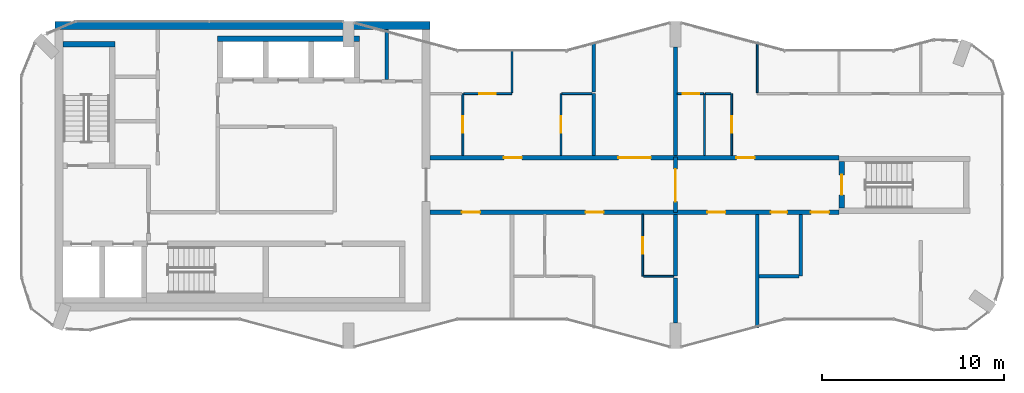
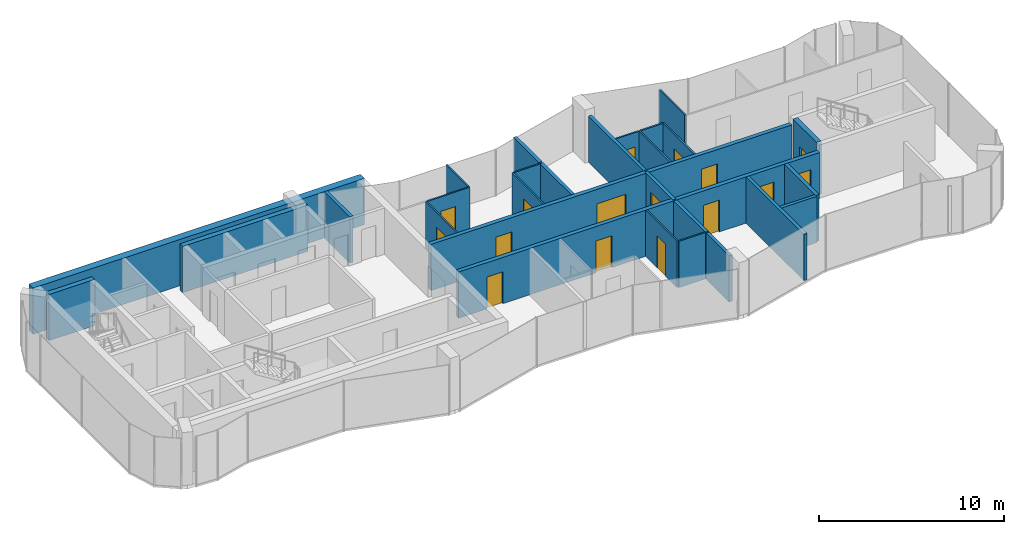
# One storey, part 8 of 10: 28 walls, 16 doors, 16 openings.
"""IFC4 building model written with IfcOpenShell, lengths in metres."""

from ifc_helpers import new_model, si_unit, direction, frame, frame_2d, origin, place, context, subcontext, project, spatial, rectangle, extrude, material, layer, layer_set, type_object, element, fill, save


model = new_model("IFC4")

# Units and contexts
model_context = context("Model", 3, precision=1e-05, world=origin(), true_north=direction((0.0, 1.0)))
body_context = subcontext(model_context, "Body", "Model", "MODEL_VIEW")
ifc_project = project(units=[si_unit("LENGTHUNIT", "METRE"), si_unit("AREAUNIT", "SQUARE_METRE"), si_unit("VOLUMEUNIT", "CUBIC_METRE"), si_unit("PLANEANGLEUNIT", "RADIAN"), si_unit("MASSUNIT", "GRAM", prefix="KILO")], contexts=[model_context])

# Site, building, storey
site_placement = place(None, origin())
site = spatial("IfcSite", under=ifc_project, at=site_placement, CompositionType="ELEMENT")
building_placement = place(site_placement, origin())
building = spatial("IfcBuilding", under=site, at=building_placement, Name="Plateau Cross Towers", CompositionType="ELEMENT")
storey_placement = place(building_placement, frame((0.0, 0.0, 284.39990234375)))
storey = spatial("IfcBuildingStorey", under=building, at=storey_placement, Name="L75", CompositionType="ELEMENT", Elevation=284.39990234375)

# Walls
ifc_material_1 = material(Name="Concrete block, plastered both sides", Category="concrete")
ifc_layer_1 = layer(ifc_material_1, 0.199951171875)
ifc_layer_set_1 = layer_set([ifc_layer_1], Name="Concrete block, plastered both sides")
wall_type_1 = type_object("IfcWallType", Name="Core partition 200", PredefinedType="PARTITIONING", material=ifc_layer_set_1)
wall_1_placement = place(storey_placement, frame((20.10009765625, 14.800048828125, 0.0), z_axis=(0.0, 0.0, 1.0), x_axis=(0.0, 1.0, 0.0)))
element("IfcWall", 1, at=wall_1_placement, inside=storey, type_object=wall_type_1, Name="Core partition", PredefinedType="PARTITIONING", context=body_context, shape_type="SweptSolid", body=[
    extrude(rectangle(XDim=2.75, YDim=0.199951171875, at=frame_2d((1.375, 0.0))), origin(), (0.0, 0.0, 1.0), 3.050048828125),
])
ifc_material_2 = material(Name="Concrete C60/75", Category="concrete")
ifc_layer_2 = layer(ifc_material_2, 0.300048828125)
ifc_layer_set_2 = layer_set([ifc_layer_2], Name="Concrete C60/75")
wall_type_2 = type_object("IfcWallType", Name="Core shaft wall 300", PredefinedType="SHEAR", material=ifc_layer_set_2)
wall_2_placement = place(storey_placement, frame((2.300048828125, 16.75, 0.0), z_axis=(0.0, 0.0, 1.0), x_axis=(1.0, 0.0, 0.0)))
element("IfcWall", 2, at=wall_2_placement, inside=storey, type_object=wall_type_2, Name="A-st1-N@L75", PredefinedType="SHEAR", context=body_context, shape_type="SweptSolid", body=[
    extrude(rectangle(XDim=2.849853515625, YDim=0.300048828125, at=frame_2d((1.4248046875, 0.0))), origin(), (0.0, 0.0, 1.0), 3.050048828125),
])
wall_3_placement = place(storey_placement, frame((10.800048828125, 17.050048828125, 0.0), z_axis=(0.0, 0.0, 1.0), x_axis=(1.0, 0.0, 0.0)))
element("IfcWall", 3, at=wall_3_placement, inside=storey, type_object=wall_type_2, Name="A-nb-back@L75", PredefinedType="SHEAR", context=body_context, shape_type="SweptSolid", body=[
    extrude(rectangle(XDim=7.800048828125, YDim=0.300048828125, at=frame_2d((3.89990234375, 0.0))), origin(), (0.0, 0.0, 1.0), 3.050048828125),
])
ifc_layer_3 = layer(ifc_material_2, 0.449951171875)
ifc_layer_set_3 = layer_set([ifc_layer_3], Name="Concrete C60/75")
wall_type_3 = type_object("IfcWallType", Name="Core shell wall 450", PredefinedType="SHEAR", material=ifc_layer_set_3)
wall_4_placement = place(storey_placement, frame((1.85009765625, 17.77490234375, 0.0), z_axis=(0.0, 0.0, 1.0), x_axis=(1.0, 0.0, 0.0)))
element("IfcWall", 4, at=wall_4_placement, inside=storey, type_object=wall_type_3, Name="A-core-N@L75", PredefinedType="SHEAR", context=body_context, shape_type="SweptSolid", body=[
    extrude(rectangle(XDim=20.64990234375, YDim=0.449951171875, at=frame_2d((10.324951171875, 0.0))), origin(), (0.0, 0.0, 1.0), 3.050048828125),
])

# Wall, openings, doors
ifc_layer_4 = layer(ifc_material_2, 0.25)
ifc_layer_set_4 = layer_set([ifc_layer_4], Name="Concrete C60/75")
wall_type_4 = type_object("IfcWallType", Name="Corridor wall 250", PredefinedType="SHEAR", material=ifc_layer_set_4)
wall_5_placement = place(storey_placement, frame((22.5, 7.5, 0.0), z_axis=(0.0, 0.0, 1.0), x_axis=(1.0, 0.0, 0.0)))
wall_5 = element("IfcWall", 5, at=wall_5_placement, inside=storey, type_object=wall_type_4, Name="A-cw-S1@L75", PredefinedType="SHEAR", context=body_context, shape_type="SweptSolid", body=[
    extrude(rectangle(XDim=22.5, YDim=0.25, at=frame_2d((11.25, 0.0))), origin(), (0.0, 0.0, 1.0), 3.050048828125),
])
opening_1_placement = place(wall_5_placement, frame((1.75, 0.0, 0.0)))
opening_1 = element("IfcOpeningElement", 6, at=opening_1_placement, cuts=wall_5, Name="Opening 75-01", PredefinedType="OPENING", context=body_context, shape_type="SweptSolid", body=[
    extrude(rectangle(XDim=1.0, YDim=2.10009765625, at=frame_2d((0.5, 1.050048828125))), frame((0.0, 0.135009765625, 0.0), z_axis=(0.0, -1.0, 0.0), x_axis=(1.0, 0.0, 0.0)), (0.0, 0.0, 1.0), 0.27001953125),
])
opening_2_placement = place(wall_5_placement, frame((8.550048828125, 0.0, 0.0)))
opening_2 = element("IfcOpeningElement", 7, at=opening_2_placement, cuts=wall_5, Name="Opening 75-02", PredefinedType="OPENING", context=body_context, shape_type="SweptSolid", body=[
    extrude(rectangle(XDim=1.0, YDim=2.10009765625, at=frame_2d((0.5, 1.050048828125))), frame((0.0, 0.135009765625, 0.0), z_axis=(0.0, -1.0, 0.0), x_axis=(1.0, 0.0, 0.0)), (0.0, 0.0, 1.0), 0.27001953125),
])
opening_3_placement = place(wall_5_placement, frame((15.25, 0.0, 0.0)))
opening_3 = element("IfcOpeningElement", 8, at=opening_3_placement, cuts=wall_5, Name="Opening 75-03", PredefinedType="OPENING", context=body_context, shape_type="SweptSolid", body=[
    extrude(rectangle(XDim=1.0, YDim=2.10009765625, at=frame_2d((0.5, 1.050048828125))), frame((0.0, 0.135009765625, 0.0), z_axis=(0.0, -1.0, 0.0), x_axis=(1.0, 0.0, 0.0)), (0.0, 0.0, 1.0), 0.27001953125),
])
opening_4_placement = place(wall_5_placement, frame((18.75, 0.0, 0.0)))
opening_4 = element("IfcOpeningElement", 9, at=opening_4_placement, cuts=wall_5, Name="Opening 75-04", PredefinedType="OPENING", context=body_context, shape_type="SweptSolid", body=[
    extrude(rectangle(XDim=0.89990234375, YDim=2.10009765625, at=frame_2d((0.449951171875, 1.050048828125))), frame((0.0, 0.135009765625, 0.0), z_axis=(0.0, -1.0, 0.0), x_axis=(1.0, 0.0, 0.0)), (0.0, 0.0, 1.0), 0.27001953125),
])
opening_5_placement = place(wall_5_placement, frame((20.949951171875, 0.0, 0.0)))
opening_5 = element("IfcOpeningElement", 10, at=opening_5_placement, cuts=wall_5, Name="Opening 75-05", PredefinedType="OPENING", context=body_context, shape_type="SweptSolid", body=[
    extrude(rectangle(XDim=1.0, YDim=2.10009765625, at=frame_2d((0.5, 1.050048828125))), frame((0.0, 0.135009765625, 0.0), z_axis=(0.0, -1.0, 0.0), x_axis=(1.0, 0.0, 0.0)), (0.0, 0.0, 1.0), 0.27001953125),
])
ifc_material_3 = material(Name="Timber, fire-resisting leaf", Category="wood")
door_type_1 = type_object("IfcDoorType", Name="Flat entrance door 1000", OperationType="NOTDEFINED", PredefinedType="DOOR", material=ifc_material_3)
door_1_placement = place(opening_1_placement, origin())
door_1 = element("IfcDoor", 11, at=door_1_placement, inside=storey, type_object=door_type_1, Name="Door 75-01", OperationType="SINGLE_SWING_LEFT", OverallHeight=2.10009765625, OverallWidth=1.0, PredefinedType="DOOR", context=body_context, shape_type="SweptSolid", body=[
    extrude(rectangle(XDim=1.0, YDim=2.10009765625, at=frame_2d((0.5, 1.050048828125))), frame((0.0, 0.02490234375, 0.0), z_axis=(0.0, -1.0, 0.0), x_axis=(1.0, 0.0, 0.0)), (0.0, 0.0, 1.0), 0.050048828125),
])
fill(opening_1, door_1)
door_2_placement = place(opening_2_placement, origin())
door_2 = element("IfcDoor", 12, at=door_2_placement, inside=storey, type_object=door_type_1, Name="Door 75-02", OperationType="SINGLE_SWING_LEFT", OverallHeight=2.10009765625, OverallWidth=1.0, PredefinedType="DOOR", context=body_context, shape_type="SweptSolid", body=[
    extrude(rectangle(XDim=1.0, YDim=2.10009765625, at=frame_2d((0.5, 1.050048828125))), frame((0.0, 0.02490234375, 0.0), z_axis=(0.0, -1.0, 0.0), x_axis=(1.0, 0.0, 0.0)), (0.0, 0.0, 1.0), 0.050048828125),
])
fill(opening_2, door_2)
door_3_placement = place(opening_3_placement, origin())
door_3 = element("IfcDoor", 13, at=door_3_placement, inside=storey, type_object=door_type_1, Name="Door 75-03", OperationType="SINGLE_SWING_RIGHT", OverallHeight=2.10009765625, OverallWidth=1.0, PredefinedType="DOOR", context=body_context, shape_type="SweptSolid", body=[
    extrude(rectangle(XDim=1.0, YDim=2.10009765625, at=frame_2d((0.5, 1.050048828125))), frame((0.0, 0.02490234375, 0.0), z_axis=(0.0, -1.0, 0.0), x_axis=(1.0, 0.0, 0.0)), (0.0, 0.0, 1.0), 0.050048828125),
])
fill(opening_3, door_3)
door_4_placement = place(opening_5_placement, origin())
door_4 = element("IfcDoor", 14, at=door_4_placement, inside=storey, type_object=door_type_1, Name="Door 75-05", OperationType="SINGLE_SWING_RIGHT", OverallHeight=2.10009765625, OverallWidth=1.0, PredefinedType="DOOR", context=body_context, shape_type="SweptSolid", body=[
    extrude(rectangle(XDim=1.0, YDim=2.10009765625, at=frame_2d((0.5, 1.050048828125))), frame((0.0, 0.02490234375, 0.0), z_axis=(0.0, -1.0, 0.0), x_axis=(1.0, 0.0, 0.0)), (0.0, 0.0, 1.0), 0.050048828125),
])
fill(opening_5, door_4)
door_type_2 = type_object("IfcDoorType", Name="Flat floor service door 900", OperationType="NOTDEFINED", PredefinedType="DOOR", material=ifc_material_3)
door_5_placement = place(opening_4_placement, origin())
door_5 = element("IfcDoor", 15, at=door_5_placement, inside=storey, type_object=door_type_2, Name="Door 75-04", OperationType="SINGLE_SWING_RIGHT", OverallHeight=2.10009765625, OverallWidth=0.89990234375, PredefinedType="DOOR", context=body_context, shape_type="SweptSolid", body=[
    extrude(rectangle(XDim=0.89990234375, YDim=2.10009765625, at=frame_2d((0.449951171875, 1.050048828125))), frame((0.0, 0.02490234375, 0.0), z_axis=(0.0, -1.0, 0.0), x_axis=(1.0, 0.0, 0.0)), (0.0, 0.0, 1.0), 0.050048828125),
])
fill(opening_4, door_5)

wall_6_placement = place(storey_placement, frame((22.5, 10.5, 0.0), z_axis=(0.0, 0.0, 1.0), x_axis=(1.0, 0.0, 0.0)))
wall_6 = element("IfcWall", 16, at=wall_6_placement, inside=storey, type_object=wall_type_4, Name="A-cw-S2@L75", PredefinedType="SHEAR", context=body_context, shape_type="SweptSolid", body=[
    extrude(rectangle(XDim=22.5, YDim=0.25, at=frame_2d((11.25, 0.0))), origin(), (0.0, 0.0, 1.0), 3.050048828125),
])
opening_6_placement = place(wall_6_placement, frame((4.050048828125, 0.0, 0.0)))
opening_6 = element("IfcOpeningElement", 17, at=opening_6_placement, cuts=wall_6, Name="Opening 75-06", PredefinedType="OPENING", context=body_context, shape_type="SweptSolid", body=[
    extrude(rectangle(XDim=1.0, YDim=2.10009765625, at=frame_2d((0.5, 1.050048828125))), frame((0.0, 0.135009765625, 0.0), z_axis=(0.0, -1.0, 0.0), x_axis=(1.0, 0.0, 0.0)), (0.0, 0.0, 1.0), 0.27001953125),
])
opening_7_placement = place(wall_6_placement, frame((10.35009765625, 0.0, 0.0)))
opening_7 = element("IfcOpeningElement", 18, at=opening_7_placement, cuts=wall_6, Name="Opening 75-07", PredefinedType="OPENING", context=body_context, shape_type="SweptSolid", body=[
    extrude(rectangle(XDim=1.800048828125, YDim=2.10009765625, at=frame_2d((0.89990234375, 1.050048828125))), frame((0.0, 0.135009765625, 0.0), z_axis=(0.0, -1.0, 0.0), x_axis=(1.0, 0.0, 0.0)), (0.0, 0.0, 1.0), 0.27001953125),
])
opening_8_placement = place(wall_6_placement, frame((16.85009765625, 0.0, 0.0)))
opening_8 = element("IfcOpeningElement", 19, at=opening_8_placement, cuts=wall_6, Name="Opening 75-08", PredefinedType="OPENING", context=body_context, shape_type="SweptSolid", body=[
    extrude(rectangle(XDim=1.0, YDim=2.10009765625, at=frame_2d((0.5, 1.050048828125))), frame((0.0, 0.135009765625, 0.0), z_axis=(0.0, -1.0, 0.0), x_axis=(1.0, 0.0, 0.0)), (0.0, 0.0, 1.0), 0.27001953125),
])
door_6_placement = place(opening_6_placement, origin())
door_6 = element("IfcDoor", 20, at=door_6_placement, inside=storey, type_object=door_type_1, Name="Door 75-06", OperationType="SINGLE_SWING_LEFT", OverallHeight=2.10009765625, OverallWidth=1.0, PredefinedType="DOOR", context=body_context, shape_type="SweptSolid", body=[
    extrude(rectangle(XDim=1.0, YDim=2.10009765625, at=frame_2d((0.5, 1.050048828125))), frame((0.0, 0.02490234375, 0.0), z_axis=(0.0, -1.0, 0.0), x_axis=(1.0, 0.0, 0.0)), (0.0, 0.0, 1.0), 0.050048828125),
])
fill(opening_6, door_6)
door_7_placement = place(opening_8_placement, origin())
door_7 = element("IfcDoor", 21, at=door_7_placement, inside=storey, type_object=door_type_1, Name="Door 75-08", OperationType="SINGLE_SWING_RIGHT", OverallHeight=2.10009765625, OverallWidth=1.0, PredefinedType="DOOR", context=body_context, shape_type="SweptSolid", body=[
    extrude(rectangle(XDim=1.0, YDim=2.10009765625, at=frame_2d((0.5, 1.050048828125))), frame((0.0, 0.02490234375, 0.0), z_axis=(0.0, -1.0, 0.0), x_axis=(1.0, 0.0, 0.0)), (0.0, 0.0, 1.0), 0.050048828125),
])
fill(opening_8, door_7)
ifc_material_4 = material(Name="Timber, fire-resisting leaves", Category="wood")
door_type_3 = type_object("IfcDoorType", Name="Flat floor fire door pair 1800", OperationType="NOTDEFINED", PredefinedType="DOOR", material=ifc_material_4)
door_8_placement = place(opening_7_placement, origin())
door_8 = element("IfcDoor", 22, at=door_8_placement, inside=storey, type_object=door_type_3, Name="Door 75-07", OperationType="SINGLE_SWING_LEFT", OverallHeight=2.10009765625, OverallWidth=1.800048828125, PredefinedType="DOOR", context=body_context, shape_type="SweptSolid", body=[
    extrude(rectangle(XDim=1.800048828125, YDim=2.10009765625, at=frame_2d((0.89990234375, 1.050048828125))), frame((0.0, 0.02490234375, 0.0), z_axis=(0.0, -1.0, 0.0), x_axis=(1.0, 0.0, 0.0)), (0.0, 0.0, 1.0), 0.050048828125),
])
fill(opening_7, door_8)

# Walls
ifc_material_5 = material(Name="Gypsum board on steel studs", Category="steel")
ifc_layer_5 = layer(ifc_material_5, 0.10009765625)
ifc_layer_set_5 = layer_set([ifc_layer_5], Name="Gypsum board on steel studs")
wall_type_5 = type_object("IfcWallType", Name="Flat partition 100", PredefinedType="PARTITIONING", material=ifc_layer_set_5)
for number, where, z_axis, x_axis, name in (
    (23, (34.25, 3.97509765625, 0.0), (0.0, 0.0, 1.0), (1.0, 0.0, 0.0), "Partition wall"),
    (24, (31.39990234375, 14.02490234375, 0.0), (0.0, 0.0, 1.0), (-1.0, 0.0, 0.0), "Partition wall"),
):
    element("IfcWall", number, at=place(storey_placement, frame(where, z_axis=z_axis, x_axis=x_axis)), inside=storey, type_object=wall_type_5, Name=name, PredefinedType="PARTITIONING", context=body_context, shape_type="SweptSolid", body=[
        extrude(rectangle(XDim=1.64990234375, YDim=0.10009765625, at=frame_2d((0.824951171875, 0.0))), origin(), (0.0, 0.0, 1.0), 3.050048828125),
    ])

# Wall, opening, door
wall_7_placement = place(storey_placement, frame((37.550048828125, 14.02490234375, 0.0), z_axis=(0.0, 0.0, 1.0), x_axis=(-1.0, 0.0, 0.0)))
wall_7 = element("IfcWall", 25, at=wall_7_placement, inside=storey, type_object=wall_type_5, Name="Partition wall", PredefinedType="PARTITIONING", context=body_context, shape_type="SweptSolid", body=[
    extrude(rectangle(XDim=1.449951171875, YDim=0.10009765625, at=frame_2d((0.72509765625, 0.0))), origin(), (0.0, 0.0, 1.0), 3.050048828125),
])
opening_9_placement = place(wall_7_placement, frame((0.25, 0.0, 0.0)))
opening_9 = element("IfcOpeningElement", 26, at=opening_9_placement, cuts=wall_7, Name="Opening 75-17", PredefinedType="OPENING", context=body_context, shape_type="SweptSolid", body=[
    extrude(rectangle(XDim=0.89990234375, YDim=2.10009765625, at=frame_2d((0.449951171875, 1.050048828125))), frame((0.0, 0.06005859375, 0.0), z_axis=(0.0, -1.0, 0.0), x_axis=(1.0, 0.0, 0.0)), (0.0, 0.0, 1.0), 0.1201171875),
])
ifc_material_6 = material(Name="Timber leaf", Category="wood")
door_type_4 = type_object("IfcDoorType", Name="Flat room door 900", OperationType="NOTDEFINED", PredefinedType="DOOR", material=ifc_material_6)
door_9_placement = place(opening_9_placement, origin())
door_9 = element("IfcDoor", 27, at=door_9_placement, inside=storey, type_object=door_type_4, Name="Door 75-17", OperationType="SINGLE_SWING_LEFT", OverallHeight=2.10009765625, OverallWidth=0.89990234375, PredefinedType="DOOR", context=body_context, shape_type="SweptSolid", body=[
    extrude(rectangle(XDim=0.89990234375, YDim=2.10009765625, at=frame_2d((0.449951171875, 1.050048828125))), frame((0.0, 0.02490234375, 0.0), z_axis=(0.0, -1.0, 0.0), x_axis=(1.0, 0.0, 0.0)), (0.0, 0.0, 1.0), 0.050048828125),
])
fill(opening_9, door_9)

# Wall
wall_8_placement = place(storey_placement, frame((39.050048828125, 14.02490234375, 0.0), z_axis=(0.0, 0.0, 1.0), x_axis=(-1.0, 0.0, 0.0)))
element("IfcWall", 28, at=wall_8_placement, inside=storey, type_object=wall_type_5, Name="Partition wall", PredefinedType="PARTITIONING", context=body_context, shape_type="SweptSolid", body=[
    extrude(rectangle(XDim=1.400146484375, YDim=0.10009765625, at=frame_2d((0.7001953125, 0.0))), origin(), (0.0, 0.0, 1.0), 3.050048828125),
])

# Wall, opening, door
wall_9_placement = place(storey_placement, frame((24.35009765625, 14.02490234375, 0.0), z_axis=(0.0, 0.0, 1.0), x_axis=(1.0, 0.0, 0.0)))
wall_9 = element("IfcWall", 29, at=wall_9_placement, inside=storey, type_object=wall_type_5, Name="Partition wall", PredefinedType="PARTITIONING", context=body_context, shape_type="SweptSolid", body=[
    extrude(rectangle(XDim=2.64990234375, YDim=0.10009765625, at=frame_2d((1.324951171875, 0.0))), origin(), (0.0, 0.0, 1.0), 3.050048828125),
])
opening_10_placement = place(wall_9_placement, frame((0.85009765625, 0.0, 0.0)))
opening_10 = element("IfcOpeningElement", 30, at=opening_10_placement, cuts=wall_9, Name="Opening 75-16", PredefinedType="OPENING", context=body_context, shape_type="SweptSolid", body=[
    extrude(rectangle(XDim=0.89990234375, YDim=2.10009765625, at=frame_2d((0.449951171875, 1.050048828125))), frame((0.0, 0.06005859375, 0.0), z_axis=(0.0, -1.0, 0.0), x_axis=(1.0, 0.0, 0.0)), (0.0, 0.0, 1.0), 0.1201171875),
])
door_10_placement = place(opening_10_placement, origin())
door_10 = element("IfcDoor", 31, at=door_10_placement, inside=storey, type_object=door_type_4, Name="Door 75-16", OperationType="SINGLE_SWING_LEFT", OverallHeight=2.10009765625, OverallWidth=0.89990234375, PredefinedType="DOOR", context=body_context, shape_type="SweptSolid", body=[
    extrude(rectangle(XDim=0.89990234375, YDim=2.10009765625, at=frame_2d((0.449951171875, 1.050048828125))), frame((0.0, 0.02490234375, 0.0), z_axis=(0.0, -1.0, 0.0), x_axis=(1.0, 0.0, 0.0)), (0.0, 0.0, 1.0), 0.050048828125),
])
fill(opening_10, door_10)

wall_10_placement = place(storey_placement, frame((24.300048828125, 10.625, 0.0), z_axis=(0.0, 0.0, 1.0), x_axis=(0.0, 1.0, 0.0)))
wall_10 = element("IfcWall", 32, at=wall_10_placement, inside=storey, type_object=wall_type_5, Name="Partition wall", PredefinedType="PARTITIONING", context=body_context, shape_type="SweptSolid", body=[
    extrude(rectangle(XDim=3.39990234375, YDim=0.10009765625, at=frame_2d((1.699951171875, 0.0))), origin(), (0.0, 0.0, 1.0), 3.050048828125),
])
opening_11_placement = place(wall_10_placement, frame((1.25, 0.0, 0.0)))
opening_11 = element("IfcOpeningElement", 33, at=opening_11_placement, cuts=wall_10, Name="Opening 75-14", PredefinedType="OPENING", context=body_context, shape_type="SweptSolid", body=[
    extrude(rectangle(XDim=0.89990234375, YDim=2.10009765625, at=frame_2d((0.449951171875, 1.050048828125))), frame((0.0, 0.06005859375, 0.0), z_axis=(0.0, -1.0, 0.0), x_axis=(1.0, 0.0, 0.0)), (0.0, 0.0, 1.0), 0.1201171875),
])
door_11_placement = place(opening_11_placement, origin())
door_11 = element("IfcDoor", 34, at=door_11_placement, inside=storey, type_object=door_type_4, Name="Door 75-14", OperationType="SINGLE_SWING_LEFT", OverallHeight=2.10009765625, OverallWidth=0.89990234375, PredefinedType="DOOR", context=body_context, shape_type="SweptSolid", body=[
    extrude(rectangle(XDim=0.89990234375, YDim=2.10009765625, at=frame_2d((0.449951171875, 1.050048828125))), frame((0.0, 0.02490234375, 0.0), z_axis=(0.0, -1.0, 0.0), x_axis=(1.0, 0.0, 0.0)), (0.0, 0.0, 1.0), 0.050048828125),
])
fill(opening_11, door_11)

# Wall
wall_11_placement = place(storey_placement, frame((27.0, 14.074951171875, 0.0), z_axis=(0.0, 0.0, 1.0), x_axis=(0.0, 1.0, 0.0)))
element("IfcWall", 35, at=wall_11_placement, inside=storey, type_object=wall_type_5, Name="Partition wall", PredefinedType="PARTITIONING", context=body_context, shape_type="SweptSolid", body=[
    extrude(rectangle(XDim=2.398193359375, YDim=0.10009765625, at=frame_2d((1.19921875, 0.0))), origin(), (0.0, 0.0, 1.0), 3.050048828125),
])

# Wall, opening, door
wall_12_placement = place(storey_placement, frame((29.699951171875, 14.02490234375, 0.0), z_axis=(0.0, 0.0, 1.0), x_axis=(0.0, -1.0, 0.0)))
wall_12 = element("IfcWall", 36, at=wall_12_placement, inside=storey, type_object=wall_type_5, Name="Partition wall", PredefinedType="PARTITIONING", context=body_context, shape_type="SweptSolid", body=[
    extrude(rectangle(XDim=3.39990234375, YDim=0.10009765625, at=frame_2d((1.699951171875, 0.0))), origin(), (0.0, 0.0, 1.0), 3.050048828125),
])
opening_12_placement = place(wall_12_placement, frame((1.25, 0.0, 0.0)))
opening_12 = element("IfcOpeningElement", 37, at=opening_12_placement, cuts=wall_12, Name="Opening 75-15", PredefinedType="OPENING", context=body_context, shape_type="SweptSolid", body=[
    extrude(rectangle(XDim=0.89990234375, YDim=2.10009765625, at=frame_2d((0.449951171875, 1.050048828125))), frame((0.0, 0.06005859375, 0.0), z_axis=(0.0, -1.0, 0.0), x_axis=(1.0, 0.0, 0.0)), (0.0, 0.0, 1.0), 0.1201171875),
])
door_12_placement = place(opening_12_placement, origin())
door_12 = element("IfcDoor", 38, at=door_12_placement, inside=storey, type_object=door_type_4, Name="Door 75-15", OperationType="SINGLE_SWING_LEFT", OverallHeight=2.10009765625, OverallWidth=0.89990234375, PredefinedType="DOOR", context=body_context, shape_type="SweptSolid", body=[
    extrude(rectangle(XDim=0.89990234375, YDim=2.10009765625, at=frame_2d((0.449951171875, 1.050048828125))), frame((0.0, 0.02490234375, 0.0), z_axis=(0.0, -1.0, 0.0), x_axis=(1.0, 0.0, 0.0)), (0.0, 0.0, 1.0), 0.050048828125),
])
fill(opening_12, door_12)

wall_13_placement = place(storey_placement, frame((34.199951171875, 7.375, 0.0), z_axis=(0.0, 0.0, 1.0), x_axis=(0.0, -1.0, 0.0)))
wall_13 = element("IfcWall", 39, at=wall_13_placement, inside=storey, type_object=wall_type_5, Name="Partition wall", PredefinedType="PARTITIONING", context=body_context, shape_type="SweptSolid", body=[
    extrude(rectangle(XDim=3.39990234375, YDim=0.10009765625, at=frame_2d((1.699951171875, 0.0))), origin(), (0.0, 0.0, 1.0), 3.050048828125),
])
opening_13_placement = place(wall_13_placement, frame((1.25, 0.0, 0.0)))
opening_13 = element("IfcOpeningElement", 40, at=opening_13_placement, cuts=wall_13, Name="Opening 75-12", PredefinedType="OPENING", context=body_context, shape_type="SweptSolid", body=[
    extrude(rectangle(XDim=0.89990234375, YDim=2.10009765625, at=frame_2d((0.449951171875, 1.050048828125))), frame((0.0, 0.06005859375, 0.0), z_axis=(0.0, -1.0, 0.0), x_axis=(1.0, 0.0, 0.0)), (0.0, 0.0, 1.0), 0.1201171875),
])
door_13_placement = place(opening_13_placement, origin())
door_13 = element("IfcDoor", 41, at=door_13_placement, inside=storey, type_object=door_type_4, Name="Door 75-12", OperationType="SINGLE_SWING_LEFT", OverallHeight=2.10009765625, OverallWidth=0.89990234375, PredefinedType="DOOR", context=body_context, shape_type="SweptSolid", body=[
    extrude(rectangle(XDim=0.89990234375, YDim=2.10009765625, at=frame_2d((0.449951171875, 1.050048828125))), frame((0.0, 0.02490234375, 0.0), z_axis=(0.0, -1.0, 0.0), x_axis=(1.0, 0.0, 0.0)), (0.0, 0.0, 1.0), 0.050048828125),
])
fill(opening_13, door_13)

# Wall
wall_14_placement = place(storey_placement, frame((37.60009765625, 10.625, 0.0), z_axis=(0.0, 0.0, 1.0), x_axis=(0.0, 1.0, 0.0)))
element("IfcWall", 42, at=wall_14_placement, inside=storey, type_object=wall_type_5, Name="Partition wall", PredefinedType="PARTITIONING", context=body_context, shape_type="SweptSolid", body=[
    extrude(rectangle(XDim=3.39990234375, YDim=0.10009765625, at=frame_2d((1.699951171875, 0.0))), origin(), (0.0, 0.0, 1.0), 3.050048828125),
])

# Wall, opening, door
wall_15_placement = place(storey_placement, frame((39.10009765625, 10.625, 0.0), z_axis=(0.0, 0.0, 1.0), x_axis=(0.0, 1.0, 0.0)))
wall_15 = element("IfcWall", 43, at=wall_15_placement, inside=storey, type_object=wall_type_5, Name="Partition wall", PredefinedType="PARTITIONING", context=body_context, shape_type="SweptSolid", body=[
    extrude(rectangle(XDim=3.39990234375, YDim=0.10009765625, at=frame_2d((1.699951171875, 0.0))), origin(), (0.0, 0.0, 1.0), 3.050048828125),
])
opening_14_placement = place(wall_15_placement, frame((1.25, 0.0, 0.0)))
opening_14 = element("IfcOpeningElement", 44, at=opening_14_placement, cuts=wall_15, Name="Opening 75-18", PredefinedType="OPENING", context=body_context, shape_type="SweptSolid", body=[
    extrude(rectangle(XDim=0.89990234375, YDim=2.10009765625, at=frame_2d((0.449951171875, 1.050048828125))), frame((0.0, 0.06005859375, 0.0), z_axis=(0.0, -1.0, 0.0), x_axis=(1.0, 0.0, 0.0)), (0.0, 0.0, 1.0), 0.1201171875),
])
door_14_placement = place(opening_14_placement, origin())
door_14 = element("IfcDoor", 45, at=door_14_placement, inside=storey, type_object=door_type_4, Name="Door 75-18", OperationType="SINGLE_SWING_LEFT", OverallHeight=2.10009765625, OverallWidth=0.89990234375, PredefinedType="DOOR", context=body_context, shape_type="SweptSolid", body=[
    extrude(rectangle(XDim=0.89990234375, YDim=2.10009765625, at=frame_2d((0.449951171875, 1.050048828125))), frame((0.0, 0.02490234375, 0.0), z_axis=(0.0, -1.0, 0.0), x_axis=(1.0, 0.0, 0.0)), (0.0, 0.0, 1.0), 0.050048828125),
])
fill(opening_14, door_14)

# Walls
wall_16_placement = place(storey_placement, frame((40.5, 16.877685546875, 0.0), z_axis=(0.0, 0.0, 1.0), x_axis=(0.0, -1.0, 0.0)))
element("IfcWall", 46, at=wall_16_placement, inside=storey, type_object=wall_type_5, Name="Partition wall", PredefinedType="PARTITIONING", context=body_context, shape_type="SweptSolid", body=[
    extrude(rectangle(XDim=2.802734375, YDim=0.10009765625, at=frame_2d((1.4013671875, 0.0))), origin(), (0.0, 0.0, 1.0), 3.050048828125),
])
ifc_material_7 = material(Name="Gypsum board on steel studs, two layers each side", Category="steel")
ifc_layer_6 = layer(ifc_material_7, 0.199951171875)
ifc_layer_set_6 = layer_set([ifc_layer_6], Name="Gypsum board on steel studs, two layers each side")
wall_type_6 = type_object("IfcWallType", Name="Flat party wall 200", PredefinedType="PARTITIONING", material=ifc_layer_set_6)
wall_17_placement = place(storey_placement, frame((40.60009765625, 3.97509765625, 0.0), z_axis=(0.0, 0.0, 1.0), x_axis=(1.0, 0.0, 0.0)))
element("IfcWall", 47, at=wall_17_placement, inside=storey, type_object=wall_type_6, Name="Party wall", PredefinedType="PARTITIONING", context=body_context, shape_type="SweptSolid", body=[
    extrude(rectangle(XDim=2.199951171875, YDim=0.199951171875, at=frame_2d((1.10009765625, 0.0))), origin(), (0.0, 0.0, 1.0), 3.050048828125),
])
wall_18_placement = place(storey_placement, frame((31.5, 16.877685546875, 0.0), z_axis=(0.0, 0.0, 1.0), x_axis=(0.0, -1.0, 0.0)))
element("IfcWall", 48, at=wall_18_placement, inside=storey, type_object=wall_type_6, Name="Party wall", PredefinedType="PARTITIONING", context=body_context, shape_type="SweptSolid", body=[
    extrude(rectangle(XDim=2.752685546875, YDim=0.199951171875, at=frame_2d((1.37646484375, 0.0))), origin(), (0.0, 0.0, 1.0), 3.050048828125),
])
wall_19_placement = place(storey_placement, frame((31.5, 10.625, 0.0), z_axis=(0.0, 0.0, 1.0), x_axis=(0.0, 1.0, 0.0)))
element("IfcWall", 49, at=wall_19_placement, inside=storey, type_object=wall_type_6, Name="Party wall", PredefinedType="PARTITIONING", context=body_context, shape_type="SweptSolid", body=[
    extrude(rectangle(XDim=3.39990234375, YDim=0.199951171875, at=frame_2d((1.699951171875, 0.0))), origin(), (0.0, 0.0, 1.0), 3.050048828125),
])
wall_20_placement = place(storey_placement, frame((36.0, 3.875, 0.0), z_axis=(0.0, 0.0, 1.0), x_axis=(0.0, -1.0, 0.0)))
element("IfcWall", 50, at=wall_20_placement, inside=storey, type_object=wall_type_6, Name="Party wall", PredefinedType="PARTITIONING", context=body_context, shape_type="SweptSolid", body=[
    extrude(rectangle(XDim=2.47509765625, YDim=0.199951171875, at=frame_2d((1.237548828125, 0.0))), origin(), (0.0, 0.0, 1.0), 3.050048828125),
])
wall_21_placement = place(storey_placement, frame((36.0, 3.97509765625, 0.0), z_axis=(0.0, 0.0, 1.0), x_axis=(0.0, 1.0, 0.0)))
element("IfcWall", 51, at=wall_21_placement, inside=storey, type_object=wall_type_6, Name="Party wall", PredefinedType="PARTITIONING", context=body_context, shape_type="SweptSolid", body=[
    extrude(rectangle(XDim=3.39990234375, YDim=0.199951171875, at=frame_2d((1.699951171875, 0.0))), origin(), (0.0, 0.0, 1.0), 3.050048828125),
])
wall_22_placement = place(storey_placement, frame((36.0, 10.625, 0.0), z_axis=(0.0, 0.0, 1.0), x_axis=(0.0, 1.0, 0.0)))
element("IfcWall", 52, at=wall_22_placement, inside=storey, type_object=wall_type_6, Name="Party wall", PredefinedType="PARTITIONING", context=body_context, shape_type="SweptSolid", body=[
    extrude(rectangle(XDim=5.97509765625, YDim=0.199951171875, at=frame_2d((2.987548828125, 0.0))), origin(), (0.0, 0.0, 1.0), 3.050048828125),
])
wall_23_placement = place(storey_placement, frame((40.5, 1.122314453125, 0.0), z_axis=(0.0, 0.0, 1.0), x_axis=(0.0, 1.0, 0.0)))
element("IfcWall", 53, at=wall_23_placement, inside=storey, type_object=wall_type_6, Name="Party wall", PredefinedType="PARTITIONING", context=body_context, shape_type="SweptSolid", body=[
    extrude(rectangle(XDim=6.252685546875, YDim=0.199951171875, at=frame_2d((3.12646484375, 0.0))), origin(), (0.0, 0.0, 1.0), 3.050048828125),
])
wall_24_placement = place(storey_placement, frame((42.89990234375, 3.97509765625, 0.0), z_axis=(0.0, 0.0, 1.0), x_axis=(0.0, 1.0, 0.0)))
element("IfcWall", 54, at=wall_24_placement, inside=storey, type_object=wall_type_6, Name="Party wall", PredefinedType="PARTITIONING", context=body_context, shape_type="SweptSolid", body=[
    extrude(rectangle(XDim=3.39990234375, YDim=0.199951171875, at=frame_2d((1.699951171875, 0.0))), origin(), (0.0, 0.0, 1.0), 3.050048828125),
])

# Wall, opening, door
wall_25_placement = place(storey_placement, frame((36.0, 7.47509765625, 0.0), z_axis=(0.0, 0.0, 1.0), x_axis=(0.0, 1.0, 0.0)))
wall_25 = element("IfcWall", 55, at=wall_25_placement, inside=storey, type_object=wall_type_6, Name="Party wall", PredefinedType="PARTITIONING", context=body_context, shape_type="SweptSolid", body=[
    extrude(rectangle(XDim=3.0498046875, YDim=0.199951171875, at=frame_2d((1.52490234375, 0.0))), origin(), (0.0, 0.0, 1.0), 3.050048828125),
])
opening_15_placement = place(wall_25_placement, frame((0.60009765625, 0.0, 0.0)))
opening_15 = element("IfcOpeningElement", 56, at=opening_15_placement, cuts=wall_25, Name="Opening 75-09", PredefinedType="OPENING", context=body_context, shape_type="SweptSolid", body=[
    extrude(rectangle(XDim=1.800048828125, YDim=2.10009765625, at=frame_2d((0.89990234375, 1.050048828125))), frame((0.0, 0.10986328125, 0.0), z_axis=(0.0, -1.0, 0.0), x_axis=(1.0, 0.0, 0.0)), (0.0, 0.0, 1.0), 0.219970703125),
])
door_15_placement = place(opening_15_placement, origin())
door_15 = element("IfcDoor", 57, at=door_15_placement, inside=storey, type_object=door_type_3, Name="Door 75-09", OperationType="SINGLE_SWING_LEFT", OverallHeight=2.10009765625, OverallWidth=1.800048828125, PredefinedType="DOOR", context=body_context, shape_type="SweptSolid", body=[
    extrude(rectangle(XDim=1.800048828125, YDim=2.10009765625, at=frame_2d((0.89990234375, 1.050048828125))), frame((0.0, 0.02490234375, 0.0), z_axis=(0.0, -1.0, 0.0), x_axis=(1.0, 0.0, 0.0)), (0.0, 0.0, 1.0), 0.050048828125),
])
fill(opening_15, door_15)

ifc_layer_7 = layer(ifc_material_2, 0.300048828125)
ifc_layer_set_7 = layer_set([ifc_layer_7], Name="Concrete C60/75")
wall_type_7 = type_object("IfcWallType", Name="Stair tower wall 300", PredefinedType="SHEAR", material=ifc_layer_set_7)
wall_26_placement = place(storey_placement, frame((45.14990234375, 7.72509765625, 0.0), z_axis=(0.0, 0.0, 1.0), x_axis=(0.0, 1.0, 0.0)))
wall_26 = element("IfcWall", 58, at=wall_26_placement, inside=storey, type_object=wall_type_7, Name="A-end-E-W@L75", PredefinedType="SHEAR", context=body_context, shape_type="SweptSolid", body=[
    extrude(rectangle(XDim=2.5498046875, YDim=0.300048828125, at=frame_2d((1.27490234375, 0.0))), origin(), (0.0, 0.0, 1.0), 3.5),
])
opening_16_placement = place(wall_26_placement, frame((0.72509765625, 0.0, 0.0)))
opening_16 = element("IfcOpeningElement", 59, at=opening_16_placement, cuts=wall_26, Name="Opening SD", PredefinedType="OPENING", context=body_context, shape_type="SweptSolid", body=[
    extrude(rectangle(XDim=1.10009765625, YDim=2.10009765625, at=frame_2d((0.550048828125, 1.050048828125))), frame((0.0, 0.159912109375, 0.0), z_axis=(0.0, -1.0, 0.0), x_axis=(1.0, 0.0, 0.0)), (0.0, 0.0, 1.0), 0.320068359375),
])
ifc_material_8 = material(Name="Steel, fire-resisting leaf", Category="steel")
door_type_5 = type_object("IfcDoorType", Name="Stair door 1100", OperationType="NOTDEFINED", PredefinedType="DOOR", material=ifc_material_8)
door_16_placement = place(opening_16_placement, origin())
door_16 = element("IfcDoor", 60, at=door_16_placement, inside=storey, type_object=door_type_5, Name="Stair door SD", OperationType="SINGLE_SWING_LEFT", OverallHeight=2.10009765625, OverallWidth=1.10009765625, PredefinedType="DOOR", context=body_context, shape_type="SweptSolid", body=[
    extrude(rectangle(XDim=1.10009765625, YDim=2.10009765625, at=frame_2d((0.550048828125, 1.050048828125))), frame((0.0, 0.02490234375, 0.0), z_axis=(0.0, -1.0, 0.0), x_axis=(1.0, 0.0, 0.0)), (0.0, 0.0, 1.0), 0.050048828125),
])
fill(opening_16, door_16)

save(model, "model.ifc")
